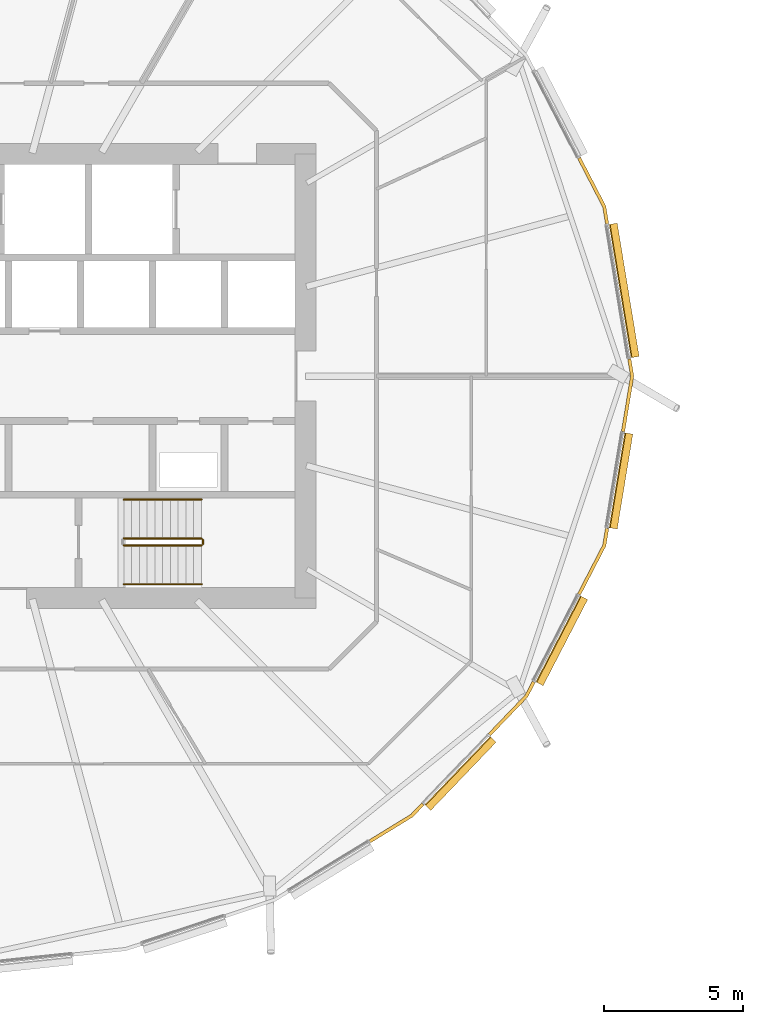
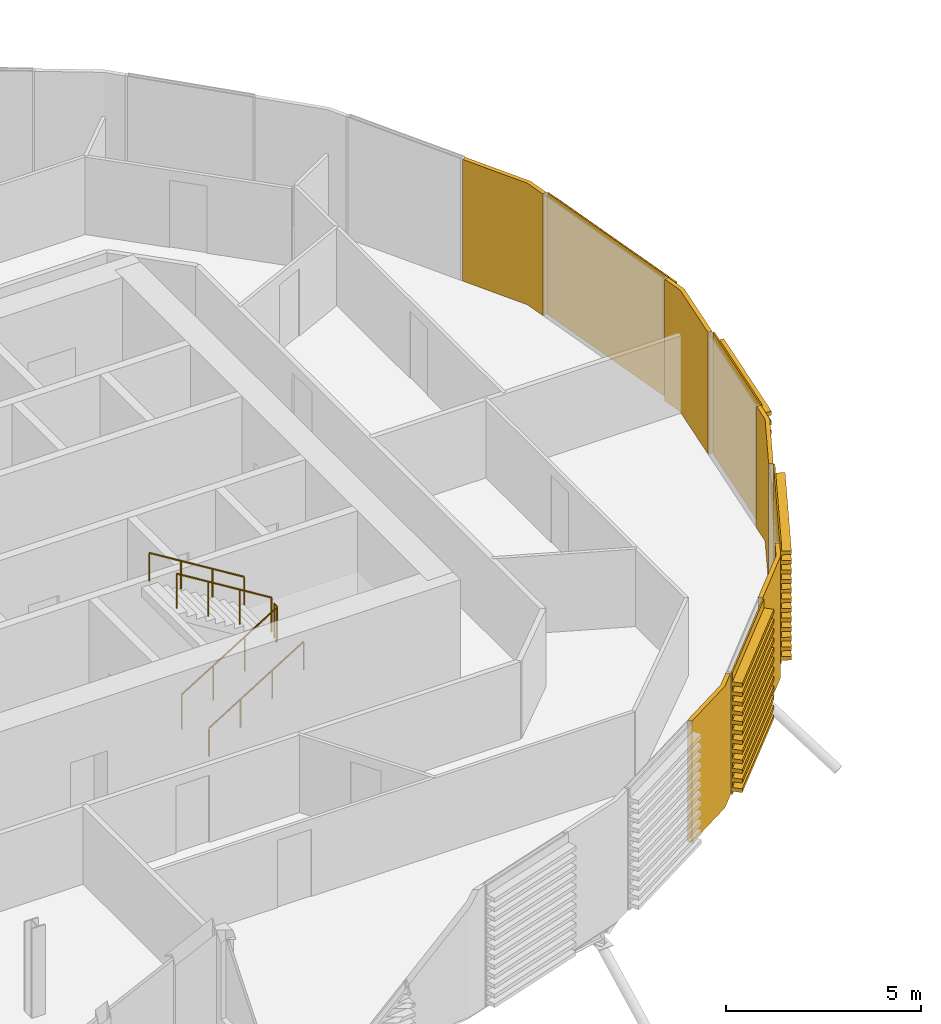
# One storey, part 38 of 43: 9 coverings, 5 railings.
"""IFC4 building model written with IfcOpenShell, lengths in metres."""

from ifc_helpers import new_model, si_unit, direction, frame, origin, origin_2d, place, context, subcontext, project, spatial, polyline, circle, outline, extrude, material, layer, layer_set, material_profile, profile_set, type_object, element, save


model = new_model("IFC4")

# Units and contexts
model_context = context("Model", 3, precision=1e-05, world=origin(), true_north=direction((0.0, 1.0)))
body_context = subcontext(model_context, "Body", "Model", "MODEL_VIEW")
ifc_project = project(units=[si_unit("LENGTHUNIT", "METRE"), si_unit("AREAUNIT", "SQUARE_METRE"), si_unit("VOLUMEUNIT", "CUBIC_METRE"), si_unit("PLANEANGLEUNIT", "RADIAN"), si_unit("MASSUNIT", "GRAM", prefix="KILO")], contexts=[model_context])

# Site, building, storey
site_placement = place(None, origin())
site = spatial("IfcSite", under=ifc_project, at=site_placement, CompositionType="ELEMENT")
building_placement = place(site_placement, origin())
building = spatial("IfcBuilding", under=site, at=building_placement, Name="Rimbun Link Towers", CompositionType="ELEMENT")
storey_placement = place(building_placement, frame((0.0, 0.0, 81.60009765625)))
storey = spatial("IfcBuildingStorey", under=building, at=storey_placement, Name="L19", CompositionType="ELEMENT", Elevation=81.60009765625)

# Coverings
ifc_material_1 = material(Name="Terracotta", Category="masonry")
ifc_layer = layer(ifc_material_1, 0.1201171875)
ifc_layer_set = layer_set([ifc_layer], Name="LINK PIER terracotta cladding 120")
covering_type_1 = type_object("IfcCoveringType", Name="LINK PIER terracotta cladding 120", PredefinedType="CLADDING", material=ifc_layer_set)
covering_1_placement = place(storey_placement, origin())
element("IfcCovering", 1, at=covering_1_placement, inside=storey, type_object=covering_type_1, Name="LINK PIER cladding", PredefinedType="CLADDING", context=body_context, shape_type="SweptSolid", body=[
    extrude(outline(polyline([(-8.144775390625, 0.61181640625), (-8.044189453125, 0.0), (-8.371826171875, -1.9931640625), (-8.25341796875, -2.0126953125), (-7.922607421875, 0.0), (-8.0263671875, 0.63134765625), (-8.144775390625, 0.61181640625)])), origin(), (0.0, 0.0, 1.0), 3.7998046875),
])
covering_2_placement = place(storey_placement, origin())
element("IfcCovering", 2, at=covering_2_placement, inside=storey, type_object=covering_type_1, Name="LINK PIER cladding", PredefinedType="CLADDING", context=body_context, shape_type="SweptSolid", body=[
    extrude(outline(polyline([(-9.94970703125, 7.83349609375), (-9.04443359375, 6.083984375), (-8.94384765625, 5.47216796875), (-8.825439453125, 5.49169921875), (-8.92919921875, 6.1220703125), (-9.84326171875, 7.888671875), (-9.94970703125, 7.83349609375)])), origin(), (0.0, 0.0, 1.0), 3.7998046875),
])
covering_3_placement = place(storey_placement, origin())
element("IfcCovering", 3, at=covering_3_placement, inside=storey, type_object=covering_type_1, Name="LINK PIER cladding", PredefinedType="CLADDING", context=body_context, shape_type="SweptSolid", body=[
    extrude(outline(polyline([(-15.567138671875, -15.376953125), (-15.96142578125, -15.78857421875), (-17.469970703125, -16.714599609375), (-17.406982421875, -16.81689453125), (-15.885498046875, -15.882568359375), (-15.48046875, -15.460205078125), (-15.567138671875, -15.376953125)])), origin(), (0.0, 0.0, 1.0), 3.7998046875),
])
covering_4_placement = place(storey_placement, origin())
element("IfcCovering", 4, at=covering_4_placement, inside=storey, type_object=covering_type_1, Name="LINK PIER cladding", PredefinedType="CLADDING", context=body_context, shape_type="SweptSolid", body=[
    extrude(outline(polyline([(-11.581298828125, -10.98681640625), (-11.84326171875, -11.4931640625), (-13.172119140625, -12.879150390625), (-13.08544921875, -12.962158203125), (-11.74462890625, -11.563720703125), (-11.474853515625, -11.0419921875), (-11.581298828125, -10.98681640625)])), origin(), (0.0, 0.0, 1.0), 3.7998046875),
])
covering_5_placement = place(storey_placement, origin())
element("IfcCovering", 5, at=covering_5_placement, inside=storey, type_object=covering_type_1, Name="LINK PIER cladding", PredefinedType="CLADDING", context=body_context, shape_type="SweptSolid", body=[
    extrude(outline(polyline([(-8.94384765625, -5.47216796875), (-9.04443359375, -6.083984375), (-9.94970703125, -7.83349609375), (-9.84326171875, -7.888671875), (-8.92919921875, -6.1220703125), (-8.825439453125, -5.49169921875), (-8.94384765625, -5.47216796875)])), origin(), (0.0, 0.0, 1.0), 3.7998046875),
])

# Railings
ifc_material_2 = material(Name="Stainless steel grade 316", Category="steel")
railing_type_1 = type_object("IfcRailingType", Name="Stair guard", PredefinedType="GUARDRAIL", material=ifc_material_2)
railing_1_placement = place(storey_placement, frame((-26.300048828125, -6.10009765625, 0.172607421875)))
element("IfcRailing", 6, at=railing_1_placement, inside=storey, type_object=railing_type_1, Name="L19 ST2 stair guard 1", PredefinedType="GUARDRAIL", context=body_context, shape_type="SweptSolid", body=[
    extrude(circle(Radius=0.02392578125, at=origin_2d()), frame((0.0, 0.0, 1.076171875), z_axis=(0.851089632645, 0.0, 0.525020415988), x_axis=(0.0, 1.0, 0.0)), (0.0, 0.0, 1.0), 3.2900390625),
    extrude(circle(Radius=0.02099609375, at=origin_2d()), origin(), (0.0, 0.0, 1.0), 1.052001953125),
    extrude(circle(Radius=0.02099609375, at=origin_2d()), frame((0.933349609375, 0.0, 0.57568359375)), (0.0, 0.0, 1.0), 1.052001953125),
    extrude(circle(Radius=0.02099609375, at=origin_2d()), frame((1.86669921875, 0.0, 1.151611328125)), (0.0, 0.0, 1.0), 1.052001953125),
    extrude(circle(Radius=0.02099609375, at=origin_2d()), frame((2.800048828125, 0.0, 1.727294921875)), (0.0, 0.0, 1.0), 1.052001953125),
])
railing_2_placement = place(storey_placement, frame((-23.449951171875, -6.050048828125, 1.89990234375)))
element("IfcRailing", 7, at=railing_2_placement, inside=storey, type_object=railing_type_1, Name="L19 ST2 stair guard 2", PredefinedType="GUARDRAIL", context=body_context, shape_type="SweptSolid", body=[
    extrude(circle(Radius=0.02392578125, at=origin_2d()), frame((0.0, 0.0, 1.076171875), z_axis=(0.0, 1.0, 0.0), x_axis=(-1.0, 0.0, 0.0)), (0.0, 0.0, 1.0), 0.150146484375),
    extrude(circle(Radius=0.02099609375, at=origin_2d()), origin(), (0.0, 0.0, 1.0), 1.052001953125),
    extrude(circle(Radius=0.02099609375, at=origin_2d()), frame((0.0, 0.150146484375, 0.0)), (0.0, 0.0, 1.0), 1.052001953125),
])
railing_3_placement = place(storey_placement, frame((-23.5, -5.85009765625, 2.072509765625)))
element("IfcRailing", 8, at=railing_3_placement, inside=storey, type_object=railing_type_1, Name="L19 ST2 stair guard 3", PredefinedType="GUARDRAIL", context=body_context, shape_type="SweptSolid", body=[
    extrude(circle(Radius=0.02392578125, at=origin_2d()), frame((0.0, 0.0, 1.076171875), z_axis=(-0.851089632645, 0.0, 0.525020415988), x_axis=(0.0, -1.0, 0.0)), (0.0, 0.0, 1.0), 3.2900390625),
    extrude(circle(Radius=0.02099609375, at=origin_2d()), origin(), (0.0, 0.0, 1.0), 1.052001953125),
    extrude(circle(Radius=0.02099609375, at=origin_2d()), frame((-0.933349609375, 0.0, 0.57568359375)), (0.0, 0.0, 1.0), 1.052001953125),
    extrude(circle(Radius=0.02099609375, at=origin_2d()), frame((-1.86669921875, 0.0, 1.151611328125)), (0.0, 0.0, 1.0), 1.052001953125),
    extrude(circle(Radius=0.02099609375, at=origin_2d()), frame((-2.800048828125, 0.0, 1.727294921875)), (0.0, 0.0, 1.0), 1.052001953125),
])
ifc_material_3 = material(Name="Stainless steel grade 316", Category="steel")
railing_type_2 = type_object("IfcRailingType", Name="Stair handrail", PredefinedType="HANDRAIL", material=ifc_material_3)
railing_4_placement = place(storey_placement, frame((-26.300048828125, -7.5, 0.172607421875)))
element("IfcRailing", 9, at=railing_4_placement, inside=storey, type_object=railing_type_2, Name="L19 ST2 stair handrail 1", PredefinedType="HANDRAIL", context=body_context, shape_type="SweptSolid", body=[
    extrude(circle(Radius=0.02392578125, at=origin_2d()), frame((0.0, 0.0, 0.8759765625), z_axis=(0.851089632645, 0.0, 0.525020415988), x_axis=(0.0, 1.0, 0.0)), (0.0, 0.0, 1.0), 3.2900390625),
    extrude(circle(Radius=0.02099609375, at=origin_2d()), origin(), (0.0, 0.0, 1.0), 0.851806640625),
    extrude(circle(Radius=0.02099609375, at=origin_2d()), frame((0.933349609375, 0.0, 0.57568359375)), (0.0, 0.0, 1.0), 0.851806640625),
    extrude(circle(Radius=0.02099609375, at=origin_2d()), frame((1.86669921875, 0.0, 1.151611328125)), (0.0, 0.0, 1.0), 0.851806640625),
    extrude(circle(Radius=0.02099609375, at=origin_2d()), frame((2.800048828125, 0.0, 1.727294921875)), (0.0, 0.0, 1.0), 0.851806640625),
])
railing_5_placement = place(storey_placement, frame((-23.5, -4.449951171875, 2.072509765625)))
element("IfcRailing", 10, at=railing_5_placement, inside=storey, type_object=railing_type_2, Name="L19 ST2 stair handrail 2", PredefinedType="HANDRAIL", context=body_context, shape_type="SweptSolid", body=[
    extrude(circle(Radius=0.02392578125, at=origin_2d()), frame((0.0, 0.0, 0.8759765625), z_axis=(-0.851089632645, 0.0, 0.525020415988), x_axis=(0.0, -1.0, 0.0)), (0.0, 0.0, 1.0), 3.2900390625),
    extrude(circle(Radius=0.02099609375, at=origin_2d()), origin(), (0.0, 0.0, 1.0), 0.851806640625),
    extrude(circle(Radius=0.02099609375, at=origin_2d()), frame((-0.933349609375, 0.0, 0.57568359375)), (0.0, 0.0, 1.0), 0.851806640625),
    extrude(circle(Radius=0.02099609375, at=origin_2d()), frame((-1.86669921875, 0.0, 1.151611328125)), (0.0, 0.0, 1.0), 0.851806640625),
    extrude(circle(Radius=0.02099609375, at=origin_2d()), frame((-2.800048828125, 0.0, 1.727294921875)), (0.0, 0.0, 1.0), 0.851806640625),
])

# Coverings
ifc_material_4 = material(Name="Terracotta", Category="masonry")
ifc_material_profile = material_profile(ifc_material_4, outline(polyline([(0.123046875, 0.0), (0.1630859375, 0.0), (0.1630859375, 0.10009765625), (0.423095703125, 0.10009765625), (0.423095703125, 0.219970703125), (0.1630859375, 0.219970703125), (0.1630859375, 0.39990234375), (0.423095703125, 0.39990234375), (0.423095703125, 0.52001953125), (0.1630859375, 0.52001953125), (0.1630859375, 0.699951171875), (0.423095703125, 0.699951171875), (0.423095703125, 0.820068359375), (0.1630859375, 0.820068359375), (0.1630859375, 1.0), (0.423095703125, 1.0), (0.423095703125, 1.1201171875), (0.1630859375, 1.1201171875), (0.1630859375, 1.300048828125), (0.423095703125, 1.300048828125), (0.423095703125, 1.419921875), (0.1630859375, 1.419921875), (0.1630859375, 1.60009765625), (0.423095703125, 1.60009765625), (0.423095703125, 1.719970703125), (0.1630859375, 1.719970703125), (0.1630859375, 1.89990234375), (0.423095703125, 1.89990234375), (0.423095703125, 2.02001953125), (0.1630859375, 2.02001953125), (0.1630859375, 2.199951171875), (0.423095703125, 2.199951171875), (0.423095703125, 2.320068359375), (0.1630859375, 2.320068359375), (0.1630859375, 2.5), (0.423095703125, 2.5), (0.423095703125, 2.6201171875), (0.1630859375, 2.6201171875), (0.1630859375, 2.800048828125), (0.423095703125, 2.800048828125), (0.423095703125, 2.919921875), (0.1630859375, 2.919921875), (0.1630859375, 3.10009765625), (0.423095703125, 3.10009765625), (0.423095703125, 3.219970703125), (0.1630859375, 3.219970703125), (0.1630859375, 3.39990234375), (0.423095703125, 3.39990234375), (0.423095703125, 3.52001953125), (0.1630859375, 3.52001953125), (0.1630859375, 3.800048828125), (0.123046875, 3.800048828125), (0.123046875, 0.0)])), Name="BAGUETTE 120X300")
ifc_profile_set = profile_set([ifc_material_profile], Name="Terracotta")
covering_type_2 = type_object("IfcCoveringType", Name="TERRACOTTA BAGUETTE 120X300 H3800", PredefinedType="CLADDING", material=ifc_profile_set)
covering_6_placement = place(storey_placement, frame((-8.93896484375, 5.442626953125, 0.0), z_axis=(0.162217977598, -0.986754948173, 0.0), x_axis=(0.986754948173, 0.162217977598, 0.0)))
element("IfcCovering", 11, at=covering_6_placement, inside=storey, type_object=covering_type_2, Name="TERRACOTTA BAGUETTE", PredefinedType="CLADDING", context=body_context, shape_type="SweptSolid", body=[
    extrude(outline(polyline([(0.123046875, 0.0), (0.1630859375, 0.0), (0.1630859375, 0.10009765625), (0.423095703125, 0.10009765625), (0.423095703125, 0.219970703125), (0.1630859375, 0.219970703125), (0.1630859375, 0.39990234375), (0.423095703125, 0.39990234375), (0.423095703125, 0.52001953125), (0.1630859375, 0.52001953125), (0.1630859375, 0.699951171875), (0.423095703125, 0.699951171875), (0.423095703125, 0.820068359375), (0.1630859375, 0.820068359375), (0.1630859375, 1.0), (0.423095703125, 1.0), (0.423095703125, 1.1201171875), (0.1630859375, 1.1201171875), (0.1630859375, 1.300048828125), (0.423095703125, 1.300048828125), (0.423095703125, 1.419921875), (0.1630859375, 1.419921875), (0.1630859375, 1.60009765625), (0.423095703125, 1.60009765625), (0.423095703125, 1.719970703125), (0.1630859375, 1.719970703125), (0.1630859375, 1.89990234375), (0.423095703125, 1.89990234375), (0.423095703125, 2.02001953125), (0.1630859375, 2.02001953125), (0.1630859375, 2.199951171875), (0.423095703125, 2.199951171875), (0.423095703125, 2.320068359375), (0.1630859375, 2.320068359375), (0.1630859375, 2.5), (0.423095703125, 2.5), (0.423095703125, 2.6201171875), (0.1630859375, 2.6201171875), (0.1630859375, 2.800048828125), (0.423095703125, 2.800048828125), (0.423095703125, 2.919921875), (0.1630859375, 2.919921875), (0.1630859375, 3.10009765625), (0.423095703125, 3.10009765625), (0.423095703125, 3.219970703125), (0.1630859375, 3.219970703125), (0.1630859375, 3.39990234375), (0.423095703125, 3.39990234375), (0.423095703125, 3.52001953125), (0.1630859375, 3.52001953125), (0.1630859375, 3.800048828125), (0.123046875, 3.800048828125), (0.123046875, 0.0)])), origin(), (0.0, 0.0, 1.0), 4.86572265625),
])
covering_7_placement = place(storey_placement, frame((-13.19287109375, -12.900634765625, 0.0), z_axis=(-0.692016066289, -0.721882098406, 0.0), x_axis=(0.721882098406, -0.692016066289, 0.0)))
element("IfcCovering", 12, at=covering_7_placement, inside=storey, type_object=covering_type_2, Name="TERRACOTTA BAGUETTE", PredefinedType="CLADDING", context=body_context, shape_type="SweptSolid", body=[
    extrude(outline(polyline([(0.123046875, 0.0), (0.1630859375, 0.0), (0.1630859375, 0.10009765625), (0.423095703125, 0.10009765625), (0.423095703125, 0.219970703125), (0.1630859375, 0.219970703125), (0.1630859375, 0.39990234375), (0.423095703125, 0.39990234375), (0.423095703125, 0.52001953125), (0.1630859375, 0.52001953125), (0.1630859375, 0.699951171875), (0.423095703125, 0.699951171875), (0.423095703125, 0.820068359375), (0.1630859375, 0.820068359375), (0.1630859375, 1.0), (0.423095703125, 1.0), (0.423095703125, 1.1201171875), (0.1630859375, 1.1201171875), (0.1630859375, 1.300048828125), (0.423095703125, 1.300048828125), (0.423095703125, 1.419921875), (0.1630859375, 1.419921875), (0.1630859375, 1.60009765625), (0.423095703125, 1.60009765625), (0.423095703125, 1.719970703125), (0.1630859375, 1.719970703125), (0.1630859375, 1.89990234375), (0.423095703125, 1.89990234375), (0.423095703125, 2.02001953125), (0.1630859375, 2.02001953125), (0.1630859375, 2.199951171875), (0.423095703125, 2.199951171875), (0.423095703125, 2.320068359375), (0.1630859375, 2.320068359375), (0.1630859375, 2.5), (0.423095703125, 2.5), (0.423095703125, 2.6201171875), (0.1630859375, 2.6201171875), (0.1630859375, 2.800048828125), (0.423095703125, 2.800048828125), (0.423095703125, 2.919921875), (0.1630859375, 2.919921875), (0.1630859375, 3.10009765625), (0.423095703125, 3.10009765625), (0.423095703125, 3.219970703125), (0.1630859375, 3.219970703125), (0.1630859375, 3.39990234375), (0.423095703125, 3.39990234375), (0.423095703125, 3.52001953125), (0.1630859375, 3.52001953125), (0.1630859375, 3.800048828125), (0.123046875, 3.800048828125), (0.123046875, 0.0)])), origin(), (0.0, 0.0, 1.0), 3.400634765625),
])
covering_8_placement = place(storey_placement, frame((-9.963623046875, -7.860107421875, 0.0), z_axis=(-0.459537083826, -0.888158583018, 0.0), x_axis=(0.888158583018, -0.459537083826, 0.0)))
element("IfcCovering", 13, at=covering_8_placement, inside=storey, type_object=covering_type_2, Name="TERRACOTTA BAGUETTE", PredefinedType="CLADDING", context=body_context, shape_type="SweptSolid", body=[
    extrude(outline(polyline([(0.123046875, 0.0), (0.1630859375, 0.0), (0.1630859375, 0.10009765625), (0.423095703125, 0.10009765625), (0.423095703125, 0.219970703125), (0.1630859375, 0.219970703125), (0.1630859375, 0.39990234375), (0.423095703125, 0.39990234375), (0.423095703125, 0.52001953125), (0.1630859375, 0.52001953125), (0.1630859375, 0.699951171875), (0.423095703125, 0.699951171875), (0.423095703125, 0.820068359375), (0.1630859375, 0.820068359375), (0.1630859375, 1.0), (0.423095703125, 1.0), (0.423095703125, 1.1201171875), (0.1630859375, 1.1201171875), (0.1630859375, 1.300048828125), (0.423095703125, 1.300048828125), (0.423095703125, 1.419921875), (0.1630859375, 1.419921875), (0.1630859375, 1.60009765625), (0.423095703125, 1.60009765625), (0.423095703125, 1.719970703125), (0.1630859375, 1.719970703125), (0.1630859375, 1.89990234375), (0.423095703125, 1.89990234375), (0.423095703125, 2.02001953125), (0.1630859375, 2.02001953125), (0.1630859375, 2.199951171875), (0.423095703125, 2.199951171875), (0.423095703125, 2.320068359375), (0.1630859375, 2.320068359375), (0.1630859375, 2.5), (0.423095703125, 2.5), (0.423095703125, 2.6201171875), (0.1630859375, 2.6201171875), (0.1630859375, 2.800048828125), (0.423095703125, 2.800048828125), (0.423095703125, 2.919921875), (0.1630859375, 2.919921875), (0.1630859375, 3.10009765625), (0.423095703125, 3.10009765625), (0.423095703125, 3.219970703125), (0.1630859375, 3.219970703125), (0.1630859375, 3.39990234375), (0.423095703125, 3.39990234375), (0.423095703125, 3.52001953125), (0.1630859375, 3.52001953125), (0.1630859375, 3.800048828125), (0.123046875, 3.800048828125), (0.123046875, 0.0)])), origin(), (0.0, 0.0, 1.0), 3.490478515625),
])
covering_9_placement = place(storey_placement, frame((-8.376708984375, -2.02294921875, 0.0), z_axis=(-0.162239487498, -0.986751411804, 0.0), x_axis=(0.986751411804, -0.162239487498, 0.0)))
element("IfcCovering", 14, at=covering_9_placement, inside=storey, type_object=covering_type_2, Name="TERRACOTTA BAGUETTE", PredefinedType="CLADDING", context=body_context, shape_type="SweptSolid", body=[
    extrude(outline(polyline([(0.123046875, 0.0), (0.1630859375, 0.0), (0.1630859375, 0.10009765625), (0.423095703125, 0.10009765625), (0.423095703125, 0.219970703125), (0.1630859375, 0.219970703125), (0.1630859375, 0.39990234375), (0.423095703125, 0.39990234375), (0.423095703125, 0.52001953125), (0.1630859375, 0.52001953125), (0.1630859375, 0.699951171875), (0.423095703125, 0.699951171875), (0.423095703125, 0.820068359375), (0.1630859375, 0.820068359375), (0.1630859375, 1.0), (0.423095703125, 1.0), (0.423095703125, 1.1201171875), (0.1630859375, 1.1201171875), (0.1630859375, 1.300048828125), (0.423095703125, 1.300048828125), (0.423095703125, 1.419921875), (0.1630859375, 1.419921875), (0.1630859375, 1.60009765625), (0.423095703125, 1.60009765625), (0.423095703125, 1.719970703125), (0.1630859375, 1.719970703125), (0.1630859375, 1.89990234375), (0.423095703125, 1.89990234375), (0.423095703125, 2.02001953125), (0.1630859375, 2.02001953125), (0.1630859375, 2.199951171875), (0.423095703125, 2.199951171875), (0.423095703125, 2.320068359375), (0.1630859375, 2.320068359375), (0.1630859375, 2.5), (0.423095703125, 2.5), (0.423095703125, 2.6201171875), (0.1630859375, 2.6201171875), (0.1630859375, 2.800048828125), (0.423095703125, 2.800048828125), (0.423095703125, 2.919921875), (0.1630859375, 2.919921875), (0.1630859375, 3.10009765625), (0.423095703125, 3.10009765625), (0.423095703125, 3.219970703125), (0.1630859375, 3.219970703125), (0.1630859375, 3.39990234375), (0.423095703125, 3.39990234375), (0.423095703125, 3.52001953125), (0.1630859375, 3.52001953125), (0.1630859375, 3.800048828125), (0.123046875, 3.800048828125), (0.123046875, 0.0)])), origin(), (0.0, 0.0, 1.0), 3.465576171875),
])

save(model, "model.ifc")
